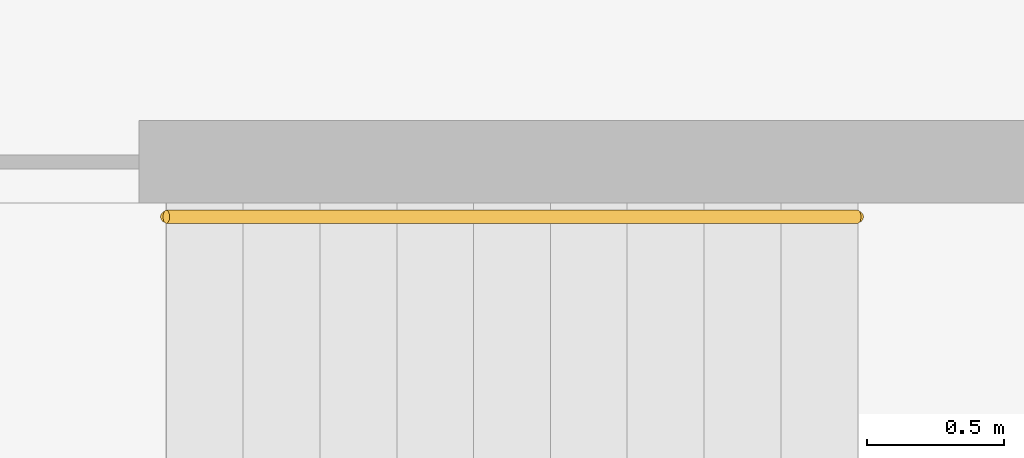
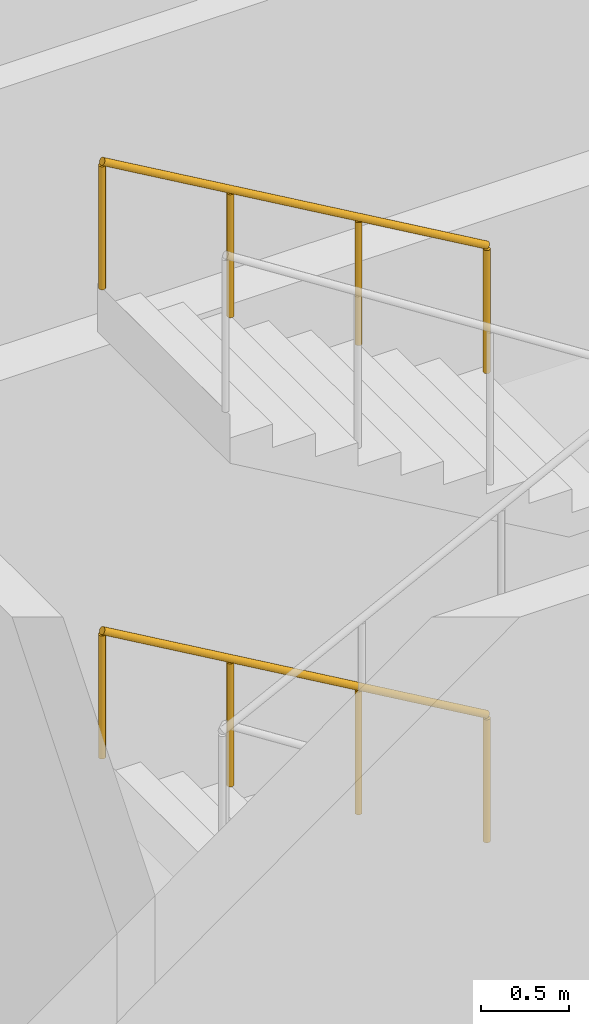
# One storey, part 24 of 24: 2 railings.
"""IFC4 building model written with IfcOpenShell, lengths in metres."""

from ifc_helpers import new_model, si_unit, direction, frame, origin, origin_2d, place, context, subcontext, project, spatial, circle, extrude, material, type_object, element, save


model = new_model("IFC4")

# Units and contexts
model_context = context("Model", 3, precision=1e-05, world=origin(), true_north=direction((0.0, 1.0)))
body_context = subcontext(model_context, "Body", "Model", "MODEL_VIEW")
ifc_project = project(units=[si_unit("LENGTHUNIT", "METRE"), si_unit("AREAUNIT", "SQUARE_METRE"), si_unit("VOLUMEUNIT", "CUBIC_METRE"), si_unit("PLANEANGLEUNIT", "RADIAN"), si_unit("MASSUNIT", "GRAM", prefix="KILO")], contexts=[model_context])

# Site, building, storey
site_placement = place(None, origin())
site = spatial("IfcSite", under=ifc_project, at=site_placement, CompositionType="ELEMENT")
building_placement = place(site_placement, origin())
building = spatial("IfcBuilding", under=site, at=building_placement, Name="Kajstack Hotel Tower", CompositionType="ELEMENT")
storey_placement = place(building_placement, frame((0.0, 0.0, 17.0)))
storey = spatial("IfcBuildingStorey", under=building, at=storey_placement, Name="L02", CompositionType="ELEMENT", Elevation=17.0)

# Railings
ifc_material = material(Name="Steel S355J2", Category="steel")
railing_type = type_object("IfcRailingType", Name="Stair handrail 900", PredefinedType="HANDRAIL", material=ifc_material)
for number, where, name in (
    (1, (28.219970703125, 15.14990234375, 1.78759765625), "L02 E3 stair handrail 2"),
    (2, (28.219970703125, 15.14990234375, 5.03759765625), "L02 E3 stair handrail 4"),
):
    element("IfcRailing", number, at=place(storey_placement, frame(where)), inside=storey, type_object=railing_type, Name=name, PredefinedType="HANDRAIL", context=body_context, shape_type="SweptSolid", body=[
        extrude(circle(Radius=0.02392578125, at=origin_2d()), frame((0.0, 0.0, 0.8759765625), z_axis=(-0.864913338283, 0.0, 0.50192122615), x_axis=(0.0, -1.0, 0.0)), (0.0, 0.0, 1.0), 2.91357421875),
        extrude(circle(Radius=0.02099609375, at=origin_2d()), origin(), (0.0, 0.0, 1.0), 0.851806640625),
        extrude(circle(Radius=0.02099609375, at=origin_2d()), frame((-0.840087890625, 0.0, 0.487548828125)), (0.0, 0.0, 1.0), 0.851806640625),
        extrude(circle(Radius=0.02099609375, at=origin_2d()), frame((-1.679931640625, 0.0, 0.974853515625)), (0.0, 0.0, 1.0), 0.851806640625),
        extrude(circle(Radius=0.02099609375, at=origin_2d()), frame((-2.52001953125, 0.0, 1.46240234375)), (0.0, 0.0, 1.0), 0.851806640625),
    ])

save(model, "model.ifc")
